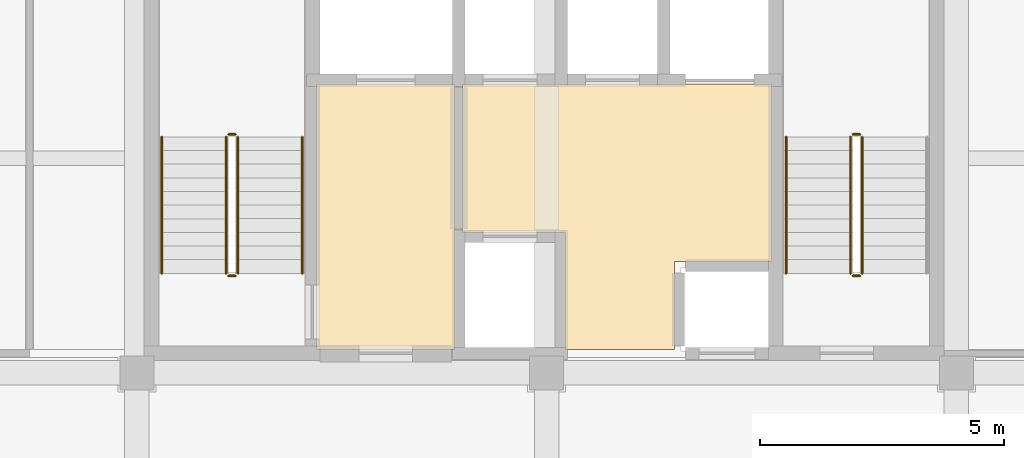
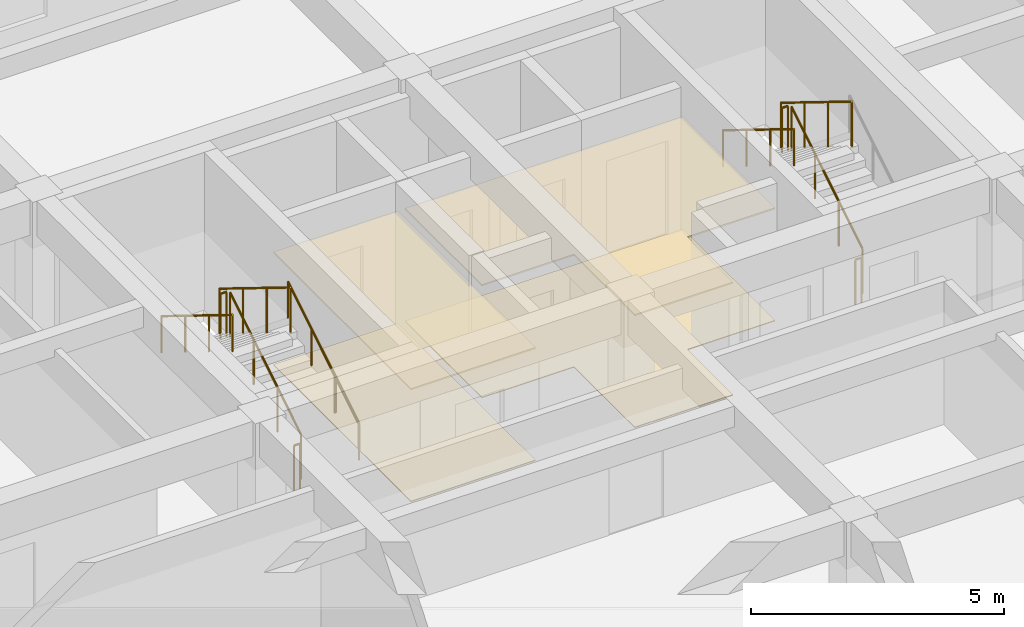
# One storey, part 11 of 12: 11 railings, 4 coverings.
"""IFC4 building model written with IfcOpenShell, lengths in metres."""

from ifc_helpers import new_model, si_unit, direction, frame, origin, origin_2d, place, context, subcontext, project, spatial, polyline, circle, outline, extrude, material, layer, layer_set, type_object, element, save


model = new_model("IFC4")

# Units and contexts
model_context = context("Model", 3, precision=1e-05, world=origin(), true_north=direction((0.0, 1.0)))
body_context = subcontext(model_context, "Body", "Model", "MODEL_VIEW")
ifc_project = project(units=[si_unit("LENGTHUNIT", "METRE"), si_unit("AREAUNIT", "SQUARE_METRE"), si_unit("VOLUMEUNIT", "CUBIC_METRE"), si_unit("PLANEANGLEUNIT", "RADIAN"), si_unit("MASSUNIT", "GRAM", prefix="KILO")], contexts=[model_context])

# Site, building, storey
site_placement = place(None, origin())
site = spatial("IfcSite", under=ifc_project, at=site_placement, CompositionType="ELEMENT")
building_placement = place(site_placement, origin())
building = spatial("IfcBuilding", under=site, at=building_placement, Name="Kemercrest Conservatory and Botanical Centre", CompositionType="ELEMENT")
storey_placement = place(building_placement, frame((0.0, 0.0, 21.0)))
storey = spatial("IfcBuildingStorey", under=building, at=storey_placement, Name="L05", CompositionType="ELEMENT", Elevation=21.0)

# Coverings
ifc_material_1 = material(Name="Perforated acoustic gypsum and mineral-fibre suspended ceiling", Category="gypsum")
ifc_layer_1 = layer(ifc_material_1, 0.034912109375)
ifc_layer_set_1 = layer_set([ifc_layer_1], Name="Perforated acoustic gypsum and mineral-fibre suspended ceiling")
covering_type_1 = type_object("IfcCoveringType", Name="CV-CLG035", PredefinedType="CEILING", material=ifc_layer_set_1)
covering_1_placement = place(storey_placement, frame((0.0, 0.0, 2.699951171875)))
element("IfcCovering", 1, at=covering_1_placement, inside=storey, type_object=covering_type_1, Name="Firefighting Lobby suspended acoustic ceiling", PredefinedType="CEILING", context=body_context, shape_type="SweptSolid", body=[
    extrude(outline(polyline([(154.47998046875, 105.280029296875), (157.320068359375, 105.280029296875), (157.320068359375, 110.719970703125), (154.47998046875, 110.719970703125), (154.47998046875, 105.280029296875)])), origin(), (0.0, 0.0, 1.0), 0.03515625),
])
covering_2_placement = place(storey_placement, frame((0.0, 0.0, 2.699951171875)))
element("IfcCovering", 2, at=covering_2_placement, inside=storey, type_object=covering_type_1, Name="Tower Lift Lobby suspended acoustic ceiling", PredefinedType="CEILING", context=body_context, shape_type="SweptSolid", body=[
    extrude(outline(polyline([(159.580078125, 107.679931640625), (159.580078125, 105.280029296875), (161.820068359375, 105.280029296875), (161.820068359375, 107.080078125), (163.820068359375, 107.080078125), (163.820068359375, 110.719970703125), (157.47998046875, 110.719970703125), (157.47998046875, 107.679931640625), (159.580078125, 107.679931640625)])), origin(), (0.0, 0.0, 1.0), 0.03515625),
])
ifc_material_2 = material(Name="Polished limestone terrazzo and seamless laboratory epoxy flooring", Category="masonry")
ifc_layer_2 = layer(ifc_material_2, 0.02001953125)
ifc_layer_set_2 = layer_set([ifc_layer_2], Name="Polished limestone terrazzo and seamless laboratory epoxy flooring")
covering_type_2 = type_object("IfcCoveringType", Name="CV-FLR020", PredefinedType="FLOORING", material=ifc_layer_set_2)
covering_3_placement = place(storey_placement, origin())
element("IfcCovering", 3, at=covering_3_placement, inside=storey, type_object=covering_type_2, Name="Firefighting Lobby floor finish", PredefinedType="FLOORING", context=body_context, shape_type="SweptSolid", body=[
    extrude(outline(polyline([(154.47998046875, 105.280029296875), (157.320068359375, 105.280029296875), (157.320068359375, 110.719970703125), (154.47998046875, 110.719970703125), (154.47998046875, 105.280029296875)])), origin(), (0.0, 0.0, 1.0), 0.02001953125),
])
covering_4_placement = place(storey_placement, origin())
element("IfcCovering", 4, at=covering_4_placement, inside=storey, type_object=covering_type_2, Name="Tower Lift Lobby floor finish", PredefinedType="FLOORING", context=body_context, shape_type="SweptSolid", body=[
    extrude(outline(polyline([(159.580078125, 107.679931640625), (159.580078125, 105.280029296875), (161.820068359375, 105.280029296875), (161.820068359375, 107.080078125), (163.820068359375, 107.080078125), (163.820068359375, 110.719970703125), (157.47998046875, 110.719970703125), (157.47998046875, 107.679931640625), (159.580078125, 107.679931640625)])), origin(), (0.0, 0.0, 1.0), 0.02001953125),
])

# Railings
ifc_material_3 = material(Name="Painted galvanized steel tubular stair guardrail", Category="steel")
railing_type_1 = type_object("IfcRailingType", Name="GR-STR110", PredefinedType="GUARDRAIL", material=ifc_material_3)
railing_1_placement = place(storey_placement, frame((152.8701171875, 106.840087890625, 0.172607421875)))
element("IfcRailing", 5, at=railing_1_placement, inside=storey, type_object=railing_type_1, Name="L05 ST-V4A stair guard 1", PredefinedType="GUARDRAIL", context=body_context, shape_type="SweptSolid", body=[
    extrude(circle(Radius=0.02392578125, at=origin_2d()), frame((0.0, 0.0, 1.076171875), z_axis=(0.0, 0.851069175582, 0.525053576669), x_axis=(-1.0, 0.0, 0.0)), (0.0, 0.0, 1.0), 3.289794921875),
    extrude(circle(Radius=0.02099609375, at=origin_2d()), origin(), (0.0, 0.0, 1.0), 1.052001953125),
    extrude(circle(Radius=0.02099609375, at=origin_2d()), frame((0.0, 0.933349609375, 0.57568359375)), (0.0, 0.0, 1.0), 1.052001953125),
    extrude(circle(Radius=0.02099609375, at=origin_2d()), frame((0.0, 1.866455078125, 1.151611328125)), (0.0, 0.0, 1.0), 1.052001953125),
    extrude(circle(Radius=0.02099609375, at=origin_2d()), frame((0.0, 2.7998046875, 1.727294921875)), (0.0, 0.0, 1.0), 1.052001953125),
])
railing_2_placement = place(storey_placement, frame((152.820068359375, 109.68994140625, 1.89990234375)))
element("IfcRailing", 6, at=railing_2_placement, inside=storey, type_object=railing_type_1, Name="L05 ST-V4A stair guard 2", PredefinedType="GUARDRAIL", context=body_context, shape_type="SweptSolid", body=[
    extrude(circle(Radius=0.02392578125, at=origin_2d()), frame((0.0, 0.0, 1.076171875), z_axis=(-1.0, 0.0, 0.0), x_axis=(0.0, -1.0, 0.0)), (0.0, 0.0, 1.0), 0.14013671875),
    extrude(circle(Radius=0.02099609375, at=origin_2d()), origin(), (0.0, 0.0, 1.0), 1.052001953125),
    extrude(circle(Radius=0.02099609375, at=origin_2d()), frame((-0.14013671875, 0.0, 0.0)), (0.0, 0.0, 1.0), 1.052001953125),
])
railing_3_placement = place(storey_placement, frame((152.6298828125, 109.639892578125, 2.07275390625)))
element("IfcRailing", 7, at=railing_3_placement, inside=storey, type_object=railing_type_1, Name="L05 ST-V4A stair guard 3", PredefinedType="GUARDRAIL", context=body_context, shape_type="SweptSolid", body=[
    extrude(circle(Radius=0.02392578125, at=origin_2d()), frame((0.0, 0.0, 1.076171875), z_axis=(0.0, -0.851069175582, 0.525053576669), x_axis=(1.0, 0.0, 0.0)), (0.0, 0.0, 1.0), 3.289794921875),
    extrude(circle(Radius=0.02099609375, at=origin_2d()), origin(), (0.0, 0.0, 1.0), 1.052001953125),
    extrude(circle(Radius=0.02099609375, at=origin_2d()), frame((0.0, -0.933349609375, 0.57568359375)), (0.0, 0.0, 1.0), 1.052001953125),
    extrude(circle(Radius=0.02099609375, at=origin_2d()), frame((0.0, -1.866455078125, 1.151611328125)), (0.0, 0.0, 1.0), 1.052001953125),
    extrude(circle(Radius=0.02099609375, at=origin_2d()), frame((0.0, -2.7998046875, 1.727294921875)), (0.0, 0.0, 1.0), 1.052001953125),
])
railing_4_placement = place(storey_placement, frame((152.820068359375, 106.7900390625, 0.0)))
element("IfcRailing", 8, at=railing_4_placement, inside=storey, type_object=railing_type_1, Name="L05 ST-V4A stair guard 4", PredefinedType="GUARDRAIL", context=body_context, shape_type="SweptSolid", body=[
    extrude(circle(Radius=0.02392578125, at=origin_2d()), frame((0.0, 0.0, 1.076171875), z_axis=(-1.0, 0.0, 0.0), x_axis=(0.0, -1.0, 0.0)), (0.0, 0.0, 1.0), 0.14013671875),
    extrude(circle(Radius=0.02099609375, at=origin_2d()), origin(), (0.0, 0.0, 1.0), 1.052001953125),
    extrude(circle(Radius=0.02099609375, at=origin_2d()), frame((-0.14013671875, 0.0, 0.0)), (0.0, 0.0, 1.0), 1.052001953125),
])
railing_5_placement = place(storey_placement, frame((165.669921875, 106.840087890625, 0.172607421875)))
element("IfcRailing", 9, at=railing_5_placement, inside=storey, type_object=railing_type_1, Name="L05 ST-V4B stair guard 1", PredefinedType="GUARDRAIL", context=body_context, shape_type="SweptSolid", body=[
    extrude(circle(Radius=0.02392578125, at=origin_2d()), frame((0.0, 0.0, 1.076171875), z_axis=(0.0, 0.851069175582, 0.525053576669), x_axis=(-1.0, 0.0, 0.0)), (0.0, 0.0, 1.0), 3.289794921875),
    extrude(circle(Radius=0.02099609375, at=origin_2d()), origin(), (0.0, 0.0, 1.0), 1.052001953125),
    extrude(circle(Radius=0.02099609375, at=origin_2d()), frame((0.0, 0.933349609375, 0.57568359375)), (0.0, 0.0, 1.0), 1.052001953125),
    extrude(circle(Radius=0.02099609375, at=origin_2d()), frame((0.0, 1.866455078125, 1.151611328125)), (0.0, 0.0, 1.0), 1.052001953125),
    extrude(circle(Radius=0.02099609375, at=origin_2d()), frame((0.0, 2.7998046875, 1.727294921875)), (0.0, 0.0, 1.0), 1.052001953125),
])
railing_6_placement = place(storey_placement, frame((165.6201171875, 109.68994140625, 1.89990234375)))
element("IfcRailing", 10, at=railing_6_placement, inside=storey, type_object=railing_type_1, Name="L05 ST-V4B stair guard 2", PredefinedType="GUARDRAIL", context=body_context, shape_type="SweptSolid", body=[
    extrude(circle(Radius=0.02392578125, at=origin_2d()), frame((0.0, 0.0, 1.076171875), z_axis=(-1.0, 0.0, 0.0), x_axis=(0.0, -1.0, 0.0)), (0.0, 0.0, 1.0), 0.14013671875),
    extrude(circle(Radius=0.02099609375, at=origin_2d()), origin(), (0.0, 0.0, 1.0), 1.052001953125),
    extrude(circle(Radius=0.02099609375, at=origin_2d()), frame((-0.14013671875, 0.0, 0.0)), (0.0, 0.0, 1.0), 1.052001953125),
])
railing_7_placement = place(storey_placement, frame((165.429931640625, 109.639892578125, 2.07275390625)))
element("IfcRailing", 11, at=railing_7_placement, inside=storey, type_object=railing_type_1, Name="L05 ST-V4B stair guard 3", PredefinedType="GUARDRAIL", context=body_context, shape_type="SweptSolid", body=[
    extrude(circle(Radius=0.02392578125, at=origin_2d()), frame((0.0, 0.0, 1.076171875), z_axis=(0.0, -0.851069175582, 0.525053576669), x_axis=(1.0, 0.0, 0.0)), (0.0, 0.0, 1.0), 3.289794921875),
    extrude(circle(Radius=0.02099609375, at=origin_2d()), origin(), (0.0, 0.0, 1.0), 1.052001953125),
    extrude(circle(Radius=0.02099609375, at=origin_2d()), frame((0.0, -0.933349609375, 0.57568359375)), (0.0, 0.0, 1.0), 1.052001953125),
    extrude(circle(Radius=0.02099609375, at=origin_2d()), frame((0.0, -1.866455078125, 1.151611328125)), (0.0, 0.0, 1.0), 1.052001953125),
    extrude(circle(Radius=0.02099609375, at=origin_2d()), frame((0.0, -2.7998046875, 1.727294921875)), (0.0, 0.0, 1.0), 1.052001953125),
])
railing_8_placement = place(storey_placement, frame((165.6201171875, 106.7900390625, 0.0)))
element("IfcRailing", 12, at=railing_8_placement, inside=storey, type_object=railing_type_1, Name="L05 ST-V4B stair guard 4", PredefinedType="GUARDRAIL", context=body_context, shape_type="SweptSolid", body=[
    extrude(circle(Radius=0.02392578125, at=origin_2d()), frame((0.0, 0.0, 1.076171875), z_axis=(-1.0, 0.0, 0.0), x_axis=(0.0, -1.0, 0.0)), (0.0, 0.0, 1.0), 0.14013671875),
    extrude(circle(Radius=0.02099609375, at=origin_2d()), origin(), (0.0, 0.0, 1.0), 1.052001953125),
    extrude(circle(Radius=0.02099609375, at=origin_2d()), frame((-0.14013671875, 0.0, 0.0)), (0.0, 0.0, 1.0), 1.052001953125),
])
ifc_material_4 = material(Name="Brushed stainless steel wall-mounted handrail", Category="steel")
railing_type_2 = type_object("IfcRailingType", Name="HR-STR090", PredefinedType="HANDRAIL", material=ifc_material_4)
railing_9_placement = place(storey_placement, frame((154.18994140625, 106.840087890625, 0.172607421875)))
element("IfcRailing", 13, at=railing_9_placement, inside=storey, type_object=railing_type_2, Name="L05 ST-V4A stair handrail 1", PredefinedType="HANDRAIL", context=body_context, shape_type="SweptSolid", body=[
    extrude(circle(Radius=0.02392578125, at=origin_2d()), frame((0.0, 0.0, 0.8759765625), z_axis=(0.0, 0.851069175582, 0.525053576669), x_axis=(-1.0, 0.0, 0.0)), (0.0, 0.0, 1.0), 3.289794921875),
    extrude(circle(Radius=0.02099609375, at=origin_2d()), origin(), (0.0, 0.0, 1.0), 0.851806640625),
    extrude(circle(Radius=0.02099609375, at=origin_2d()), frame((0.0, 0.933349609375, 0.57568359375)), (0.0, 0.0, 1.0), 0.851806640625),
    extrude(circle(Radius=0.02099609375, at=origin_2d()), frame((0.0, 1.866455078125, 1.151611328125)), (0.0, 0.0, 1.0), 0.851806640625),
    extrude(circle(Radius=0.02099609375, at=origin_2d()), frame((0.0, 2.7998046875, 1.727294921875)), (0.0, 0.0, 1.0), 0.851806640625),
])
for number, where, name in (
    (14, (151.31005859375, 109.639892578125, 2.07275390625), "L05 ST-V4A stair handrail 2"),
    (15, (164.110107421875, 109.639892578125, 2.07275390625), "L05 ST-V4B stair handrail 2"),
):
    element("IfcRailing", number, at=place(storey_placement, frame(where)), inside=storey, type_object=railing_type_2, Name=name, PredefinedType="HANDRAIL", context=body_context, shape_type="SweptSolid", body=[
        extrude(circle(Radius=0.02392578125, at=origin_2d()), frame((0.0, 0.0, 0.8759765625), z_axis=(0.0, -0.851069175582, 0.525053576669), x_axis=(1.0, 0.0, 0.0)), (0.0, 0.0, 1.0), 3.289794921875),
        extrude(circle(Radius=0.02099609375, at=origin_2d()), origin(), (0.0, 0.0, 1.0), 0.851806640625),
        extrude(circle(Radius=0.02099609375, at=origin_2d()), frame((0.0, -0.933349609375, 0.57568359375)), (0.0, 0.0, 1.0), 0.851806640625),
        extrude(circle(Radius=0.02099609375, at=origin_2d()), frame((0.0, -1.866455078125, 1.151611328125)), (0.0, 0.0, 1.0), 0.851806640625),
        extrude(circle(Radius=0.02099609375, at=origin_2d()), frame((0.0, -2.7998046875, 1.727294921875)), (0.0, 0.0, 1.0), 0.851806640625),
    ])

save(model, "model.ifc")
